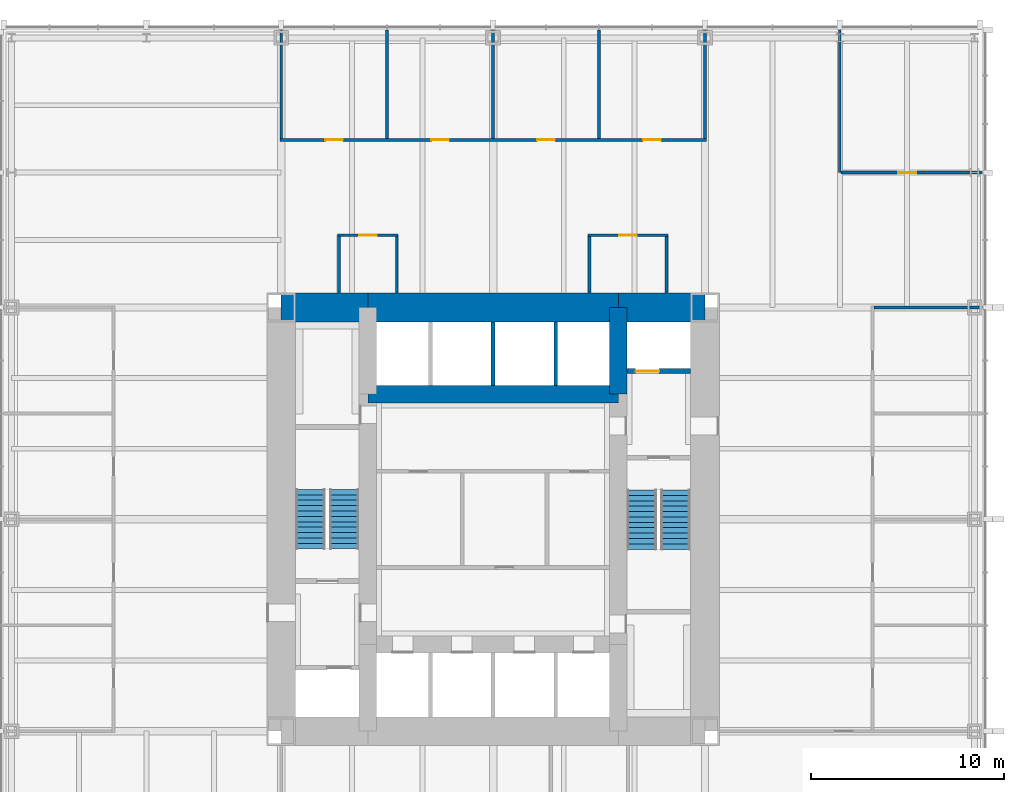
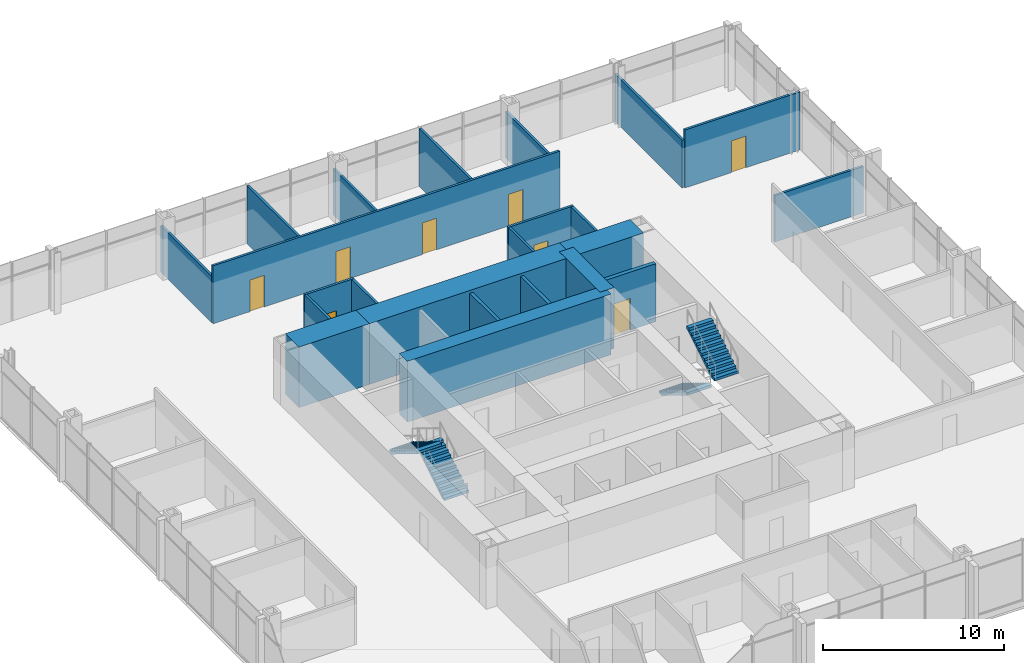
# One storey, part 11 of 12: 23 walls, 8 doors, 4 stair flights, 8 openings, 2 elements without a shape of their own.
"""IFC4 building model written with IfcOpenShell, lengths in metres."""

from ifc_helpers import new_model, si_unit, direction, frame, frame_2d, origin, place, context, subcontext, project, spatial, polyline, rectangle, outline, extrude, material, layer, layer_set, type_object, element, fill, aggregate, save


model = new_model("IFC4")

# Units and contexts
model_context = context("Model", 3, precision=1e-05, world=origin(), true_north=direction((0.0, 1.0)))
body_context = subcontext(model_context, "Body", "Model", "MODEL_VIEW")
ifc_project = project(units=[si_unit("LENGTHUNIT", "METRE"), si_unit("AREAUNIT", "SQUARE_METRE"), si_unit("VOLUMEUNIT", "CUBIC_METRE"), si_unit("PLANEANGLEUNIT", "RADIAN"), si_unit("MASSUNIT", "GRAM", prefix="KILO")], contexts=[model_context])

# Site, building, storey
site_placement = place(None, origin())
site = spatial("IfcSite", under=ifc_project, at=site_placement, CompositionType="ELEMENT")
building_placement = place(site_placement, origin())
building = spatial("IfcBuilding", under=site, at=building_placement, Name="Trevanion Tower", CompositionType="ELEMENT")
storey_placement = place(building_placement, frame((0.0, 0.0, 77.5)))
storey = spatial("IfcBuildingStorey", under=building, at=storey_placement, Name="L18", CompositionType="ELEMENT", Elevation=77.5)

# Walls
ifc_material_1 = material(Name="Concrete 10,000 psi", Category="concrete")
ifc_layer_1 = layer(ifc_material_1, 1.5)
ifc_layer_set_1 = layer_set([ifc_layer_1], Name="CW1 core wall 1500")
wall_type_1 = type_object("IfcWallType", Name="CW1 core wall 1500", PredefinedType="SHEAR", material=ifc_layer_set_1)
wall_1_placement = place(storey_placement, frame((11.0, 11.0, 0.0), z_axis=(0.0, 0.0, 1.0), x_axis=(-1.0, 0.0, 0.0)))
element("IfcWall", 1, at=wall_1_placement, inside=storey, type_object=wall_type_1, Name="CW1 CN1 L18", PredefinedType="SHEAR", context=body_context, shape_type="SweptSolid", body=[
    extrude(rectangle(XDim=4.5, YDim=1.5, at=frame_2d((2.25, 0.0))), origin(), (0.0, 0.0, 1.0), 4.10009765625),
])
wall_2_placement = place(storey_placement, frame((6.5, 11.0, 0.0), z_axis=(0.0, 0.0, 1.0), x_axis=(-1.0, 0.0, 0.0)))
element("IfcWall", 2, at=wall_2_placement, inside=storey, type_object=wall_type_1, Name="CW1 CN2 L18", PredefinedType="SHEAR", context=body_context, shape_type="SweptSolid", body=[
    extrude(rectangle(XDim=13.0, YDim=1.5, at=frame_2d((6.5, 0.0))), origin(), (0.0, 0.0, 1.0), 4.10009765625),
])
wall_3_placement = place(storey_placement, frame((-6.5, 11.0, 0.0), z_axis=(0.0, 0.0, 1.0), x_axis=(-1.0, 0.0, 0.0)))
element("IfcWall", 3, at=wall_3_placement, inside=storey, type_object=wall_type_1, Name="CW1 CN3 L18", PredefinedType="SHEAR", context=body_context, shape_type="SweptSolid", body=[
    extrude(rectangle(XDim=4.5, YDim=1.5, at=frame_2d((2.25, 0.0))), origin(), (0.0, 0.0, 1.0), 4.10009765625),
])
ifc_material_2 = material(Name="Concrete 10,000 psi", Category="concrete")
ifc_layer_2 = layer(ifc_material_2, 0.89990234375)
ifc_layer_set_2 = layer_set([ifc_layer_2], Name="CW2 core wall 900")
wall_type_2 = type_object("IfcWallType", Name="CW2 core wall 900", PredefinedType="SHEAR", material=ifc_layer_set_2)
wall_4_placement = place(storey_placement, frame((6.5, 6.5, 0.0), z_axis=(0.0, 0.0, 1.0), x_axis=(0.0, 1.0, 0.0)))
element("IfcWall", 4, at=wall_4_placement, inside=storey, type_object=wall_type_2, Name="CW2 RE3 L18", PredefinedType="SHEAR", context=body_context, shape_type="SweptSolid", body=[
    extrude(rectangle(XDim=4.5, YDim=0.89990234375, at=frame_2d((2.25, 0.0))), origin(), (0.0, 0.0, 1.0), 4.10009765625),
])
wall_5_placement = place(storey_placement, frame((6.5, 6.5, 0.0), z_axis=(0.0, 0.0, 1.0), x_axis=(-1.0, 0.0, 0.0)))
element("IfcWall", 5, at=wall_5_placement, inside=storey, type_object=wall_type_2, Name="CW2 RN L18", PredefinedType="SHEAR", context=body_context, shape_type="SweptSolid", body=[
    extrude(rectangle(XDim=13.0, YDim=0.89990234375, at=frame_2d((6.5, 0.0))), origin(), (0.0, 0.0, 1.0), 4.10009765625),
])
ifc_material_3 = material(Name="Gypsum board on steel studs", Category="steel")
ifc_layer_3 = layer(ifc_material_3, 0.14990234375)
ifc_layer_set_3 = layer_set([ifc_layer_3], Name="PT1 partition 150")
wall_type_3 = type_object("IfcWallType", Name="PT1 partition 150", PredefinedType="PARTITIONING", material=ifc_layer_set_3)
wall_6_placement = place(storey_placement, frame((18.0, 18.0, 0.0), z_axis=(0.0, 0.0, 1.0), x_axis=(0.0, 1.0, 0.0)))
element("IfcWall", 6, at=wall_6_placement, inside=storey, type_object=wall_type_3, Name="PT1 L18 KW0a", PredefinedType="PARTITIONING", context=body_context, shape_type="SweptSolid", body=[
    extrude(rectangle(XDim=7.4150390625, YDim=0.14990234375, at=frame_2d((3.70751953125, 0.0))), origin(), (0.0, 0.0, 1.0), 3.216552734375),
])

# Wall, opening, door
wall_7_placement = place(storey_placement, frame((18.074951171875, 18.0, 0.0), z_axis=(0.0, 0.0, 1.0), x_axis=(1.0, 0.0, 0.0)))
wall_7 = element("IfcWall", 7, at=wall_7_placement, inside=storey, type_object=wall_type_3, Name="PT1 L18 KW0b", PredefinedType="PARTITIONING", context=body_context, shape_type="SweptSolid", body=[
    extrude(rectangle(XDim=7.340087890625, YDim=0.14990234375, at=frame_2d((3.669921875, 0.0))), origin(), (0.0, 0.0, 1.0), 3.909912109375),
])
opening_1_placement = place(wall_7_placement, frame((2.967529296875, 0.0, 0.0)))
opening_1 = element("IfcOpeningElement", 8, at=opening_1_placement, cuts=wall_7, Name="Opening 18-020", PredefinedType="OPENING", context=body_context, shape_type="SweptSolid", body=[
    extrude(rectangle(XDim=0.9150390625, YDim=2.134033203125, at=frame_2d((0.45751953125, 1.06689453125))), frame((0.0, 0.0849609375, 0.0), z_axis=(0.0, -1.0, 0.0), x_axis=(1.0, 0.0, 0.0)), (0.0, 0.0, 1.0), 0.169921875),
])
ifc_material_4 = material(Name="Timber veneer, solid core", Category="wood")
door_type_1 = type_object("IfcDoorType", Name="D1 office and meeting room door", OperationType="SINGLE_SWING_LEFT", PredefinedType="DOOR", material=ifc_material_4)
door_1_placement = place(opening_1_placement, origin())
door_1 = element("IfcDoor", 9, at=door_1_placement, inside=storey, type_object=door_type_1, Name="Door 18-020", OperationType="SINGLE_SWING_LEFT", OverallHeight=2.134033203125, OverallWidth=0.9150390625, PredefinedType="DOOR", context=body_context, shape_type="SweptSolid", body=[
    extrude(rectangle(XDim=0.9150390625, YDim=2.134033203125, at=frame_2d((0.45751953125, 1.06689453125))), frame((0.0, 0.02490234375, 0.0), z_axis=(0.0, -1.0, 0.0), x_axis=(1.0, 0.0, 0.0)), (0.0, 0.0, 1.0), 0.050048828125),
])
fill(opening_1, door_1)

# Wall, openings, doors
wall_8_placement = place(storey_placement, frame((11.074951171875, 19.699951171875, 0.0), z_axis=(0.0, 0.0, 1.0), x_axis=(-1.0, 0.0, 0.0)))
wall_8 = element("IfcWall", 10, at=wall_8_placement, inside=storey, type_object=wall_type_3, Name="PT1 L18 FC1F", PredefinedType="PARTITIONING", context=body_context, shape_type="SweptSolid", body=[
    extrude(rectangle(XDim=22.14990234375, YDim=0.14990234375, at=frame_2d((11.074951171875, 0.0))), origin(), (0.0, 0.0, 1.0), 3.909912109375),
])
opening_2_placement = place(wall_8_placement, frame((2.367431640625, 0.0, 0.0)))
opening_2 = element("IfcOpeningElement", 11, at=opening_2_placement, cuts=wall_8, Name="Opening 18-022", PredefinedType="OPENING", context=body_context, shape_type="SweptSolid", body=[
    extrude(rectangle(XDim=0.9150390625, YDim=2.134033203125, at=frame_2d((0.45751953125, 1.06689453125))), frame((0.0, 0.0849609375, 0.0), z_axis=(0.0, -1.0, 0.0), x_axis=(1.0, 0.0, 0.0)), (0.0, 0.0, 1.0), 0.169921875),
])
opening_3_placement = place(wall_8_placement, frame((7.867431640625, 0.0, 0.0)))
opening_3 = element("IfcOpeningElement", 12, at=opening_3_placement, cuts=wall_8, Name="Opening 18-023", PredefinedType="OPENING", context=body_context, shape_type="SweptSolid", body=[
    extrude(rectangle(XDim=0.9150390625, YDim=2.134033203125, at=frame_2d((0.45751953125, 1.06689453125))), frame((0.0, 0.0849609375, 0.0), z_axis=(0.0, -1.0, 0.0), x_axis=(1.0, 0.0, 0.0)), (0.0, 0.0, 1.0), 0.169921875),
])
opening_4_placement = place(wall_8_placement, frame((13.367431640625, 0.0, 0.0)))
opening_4 = element("IfcOpeningElement", 13, at=opening_4_placement, cuts=wall_8, Name="Opening 18-024", PredefinedType="OPENING", context=body_context, shape_type="SweptSolid", body=[
    extrude(rectangle(XDim=0.9150390625, YDim=2.134033203125, at=frame_2d((0.45751953125, 1.06689453125))), frame((0.0, 0.0849609375, 0.0), z_axis=(0.0, -1.0, 0.0), x_axis=(1.0, 0.0, 0.0)), (0.0, 0.0, 1.0), 0.169921875),
])
opening_5_placement = place(wall_8_placement, frame((18.867431640625, 0.0, 0.0)))
opening_5 = element("IfcOpeningElement", 14, at=opening_5_placement, cuts=wall_8, Name="Opening 18-025", PredefinedType="OPENING", context=body_context, shape_type="SweptSolid", body=[
    extrude(rectangle(XDim=0.9150390625, YDim=2.134033203125, at=frame_2d((0.45751953125, 1.06689453125))), frame((0.0, 0.0849609375, 0.0), z_axis=(0.0, -1.0, 0.0), x_axis=(1.0, 0.0, 0.0)), (0.0, 0.0, 1.0), 0.169921875),
])
door_2_placement = place(opening_2_placement, origin())
door_2 = element("IfcDoor", 15, at=door_2_placement, inside=storey, type_object=door_type_1, Name="Door 18-022", OperationType="SINGLE_SWING_LEFT", OverallHeight=2.134033203125, OverallWidth=0.9150390625, PredefinedType="DOOR", context=body_context, shape_type="SweptSolid", body=[
    extrude(rectangle(XDim=0.9150390625, YDim=2.134033203125, at=frame_2d((0.45751953125, 1.06689453125))), frame((0.0, 0.02490234375, 0.0), z_axis=(0.0, -1.0, 0.0), x_axis=(1.0, 0.0, 0.0)), (0.0, 0.0, 1.0), 0.050048828125),
])
fill(opening_2, door_2)
door_3_placement = place(opening_3_placement, origin())
door_3 = element("IfcDoor", 16, at=door_3_placement, inside=storey, type_object=door_type_1, Name="Door 18-023", OperationType="SINGLE_SWING_LEFT", OverallHeight=2.134033203125, OverallWidth=0.9150390625, PredefinedType="DOOR", context=body_context, shape_type="SweptSolid", body=[
    extrude(rectangle(XDim=0.9150390625, YDim=2.134033203125, at=frame_2d((0.45751953125, 1.06689453125))), frame((0.0, 0.02490234375, 0.0), z_axis=(0.0, -1.0, 0.0), x_axis=(1.0, 0.0, 0.0)), (0.0, 0.0, 1.0), 0.050048828125),
])
fill(opening_3, door_3)
door_4_placement = place(opening_4_placement, origin())
door_4 = element("IfcDoor", 17, at=door_4_placement, inside=storey, type_object=door_type_1, Name="Door 18-024", OperationType="SINGLE_SWING_LEFT", OverallHeight=2.134033203125, OverallWidth=0.9150390625, PredefinedType="DOOR", context=body_context, shape_type="SweptSolid", body=[
    extrude(rectangle(XDim=0.9150390625, YDim=2.134033203125, at=frame_2d((0.45751953125, 1.06689453125))), frame((0.0, 0.02490234375, 0.0), z_axis=(0.0, -1.0, 0.0), x_axis=(1.0, 0.0, 0.0)), (0.0, 0.0, 1.0), 0.050048828125),
])
fill(opening_4, door_4)
door_5_placement = place(opening_5_placement, origin())
door_5 = element("IfcDoor", 18, at=door_5_placement, inside=storey, type_object=door_type_1, Name="Door 18-025", OperationType="SINGLE_SWING_LEFT", OverallHeight=2.134033203125, OverallWidth=0.9150390625, PredefinedType="DOOR", context=body_context, shape_type="SweptSolid", body=[
    extrude(rectangle(XDim=0.9150390625, YDim=2.134033203125, at=frame_2d((0.45751953125, 1.06689453125))), frame((0.0, 0.02490234375, 0.0), z_axis=(0.0, -1.0, 0.0), x_axis=(1.0, 0.0, 0.0)), (0.0, 0.0, 1.0), 0.050048828125),
])
fill(opening_5, door_5)

# Walls
wall_9_placement = place(storey_placement, frame((11.0, 19.77490234375, 0.0), z_axis=(0.0, 0.0, 1.0), x_axis=(0.0, 1.0, 0.0)))
element("IfcWall", 19, at=wall_9_placement, inside=storey, type_object=wall_type_3, Name="PT1 L18 FC1S0", PredefinedType="PARTITIONING", context=body_context, shape_type="SweptSolid", body=[
    extrude(rectangle(XDim=5.64013671875, YDim=0.14990234375, at=frame_2d((2.820068359375, 0.0))), origin(), (0.0, 0.0, 1.0), 3.130126953125),
])
wall_10_placement = place(storey_placement, frame((5.5, 19.77490234375, 0.0), z_axis=(0.0, 0.0, 1.0), x_axis=(0.0, 1.0, 0.0)))
element("IfcWall", 20, at=wall_10_placement, inside=storey, type_object=wall_type_3, Name="PT1 L18 FC1S2", PredefinedType="PARTITIONING", context=body_context, shape_type="SweptSolid", body=[
    extrude(rectangle(XDim=5.64013671875, YDim=0.14990234375, at=frame_2d((2.820068359375, 0.0))), origin(), (0.0, 0.0, 1.0), 3.909912109375),
])
wall_11_placement = place(storey_placement, frame((0.0, 19.77490234375, 0.0), z_axis=(0.0, 0.0, 1.0), x_axis=(0.0, 1.0, 0.0)))
element("IfcWall", 21, at=wall_11_placement, inside=storey, type_object=wall_type_3, Name="PT1 L18 FC1S4", PredefinedType="PARTITIONING", context=body_context, shape_type="SweptSolid", body=[
    extrude(rectangle(XDim=5.64013671875, YDim=0.14990234375, at=frame_2d((2.820068359375, 0.0))), origin(), (0.0, 0.0, 1.0), 3.130126953125),
])
wall_12_placement = place(storey_placement, frame((-5.5, 19.77490234375, 0.0), z_axis=(0.0, 0.0, 1.0), x_axis=(0.0, 1.0, 0.0)))
element("IfcWall", 22, at=wall_12_placement, inside=storey, type_object=wall_type_3, Name="PT1 L18 FC1S6", PredefinedType="PARTITIONING", context=body_context, shape_type="SweptSolid", body=[
    extrude(rectangle(XDim=5.64013671875, YDim=0.14990234375, at=frame_2d((2.820068359375, 0.0))), origin(), (0.0, 0.0, 1.0), 3.909912109375),
])
for number, where, z_axis, x_axis, name in (
    (23, (-11.0, 19.77490234375, 0.0), (0.0, 0.0, 1.0), (0.0, 1.0, 0.0), "PT1 L18 FC1S8"),
    (24, (19.77490234375, 11.0, 0.0), (0.0, 0.0, 1.0), (1.0, 0.0, 0.0), "PT1 L18 FC0S8"),
):
    element("IfcWall", number, at=place(storey_placement, frame(where, z_axis=z_axis, x_axis=x_axis)), inside=storey, type_object=wall_type_3, Name=name, PredefinedType="PARTITIONING", context=body_context, shape_type="SweptSolid", body=[
        extrude(rectangle(XDim=5.64013671875, YDim=0.14990234375, at=frame_2d((2.820068359375, 0.0))), origin(), (0.0, 0.0, 1.0), 3.130126953125),
    ])

# Wall, opening, door
wall_13_placement = place(storey_placement, frame((9.074951171875, 14.75, 0.0), z_axis=(0.0, 0.0, 1.0), x_axis=(-1.0, 0.0, 0.0)))
wall_13 = element("IfcWall", 25, at=wall_13_placement, inside=storey, type_object=wall_type_3, Name="PT1 L18 IN10F", PredefinedType="PARTITIONING", context=body_context, shape_type="SweptSolid", body=[
    extrude(rectangle(XDim=4.14990234375, YDim=0.14990234375, at=frame_2d((2.074951171875, 0.0))), origin(), (0.0, 0.0, 1.0), 3.909912109375),
])
opening_6_placement = place(wall_13_placement, frame((1.617431640625, 0.0, 0.0)))
opening_6 = element("IfcOpeningElement", 26, at=opening_6_placement, cuts=wall_13, Name="Opening 18-040", PredefinedType="OPENING", context=body_context, shape_type="SweptSolid", body=[
    extrude(rectangle(XDim=0.9150390625, YDim=2.134033203125, at=frame_2d((0.45751953125, 1.06689453125))), frame((0.0, 0.0849609375, 0.0), z_axis=(0.0, -1.0, 0.0), x_axis=(1.0, 0.0, 0.0)), (0.0, 0.0, 1.0), 0.169921875),
])
door_6_placement = place(opening_6_placement, origin())
door_6 = element("IfcDoor", 27, at=door_6_placement, inside=storey, type_object=door_type_1, Name="Door 18-040", OperationType="SINGLE_SWING_LEFT", OverallHeight=2.134033203125, OverallWidth=0.9150390625, PredefinedType="DOOR", context=body_context, shape_type="SweptSolid", body=[
    extrude(rectangle(XDim=0.9150390625, YDim=2.134033203125, at=frame_2d((0.45751953125, 1.06689453125))), frame((0.0, 0.02490234375, 0.0), z_axis=(0.0, -1.0, 0.0), x_axis=(1.0, 0.0, 0.0)), (0.0, 0.0, 1.0), 0.050048828125),
])
fill(opening_6, door_6)

# Walls
for number, where, z_axis, x_axis, name in (
    (28, (9.0, 14.675048828125, 0.0), (0.0, 0.0, 1.0), (0.0, -1.0, 0.0), "PT1 L18 IN10S0"),
    (29, (5.0, 14.675048828125, 0.0), (0.0, 0.0, 1.0), (0.0, -1.0, 0.0), "PT1 L18 IN10S1"),
):
    element("IfcWall", number, at=place(storey_placement, frame(where, z_axis=z_axis, x_axis=x_axis)), inside=storey, type_object=wall_type_3, Name=name, PredefinedType="PARTITIONING", context=body_context, shape_type="SweptSolid", body=[
        extrude(rectangle(XDim=2.925048828125, YDim=0.14990234375, at=frame_2d((1.46240234375, 0.0))), origin(), (0.0, 0.0, 1.0), 3.909912109375),
    ])

# Wall, opening, door
wall_14_placement = place(storey_placement, frame((-4.925048828125, 14.75, 0.0), z_axis=(0.0, 0.0, 1.0), x_axis=(-1.0, 0.0, 0.0)))
wall_14 = element("IfcWall", 30, at=wall_14_placement, inside=storey, type_object=wall_type_3, Name="PT1 L18 IN11F", PredefinedType="PARTITIONING", context=body_context, shape_type="SweptSolid", body=[
    extrude(rectangle(XDim=3.14990234375, YDim=0.14990234375, at=frame_2d((1.574951171875, 0.0))), origin(), (0.0, 0.0, 1.0), 3.909912109375),
])
opening_7_placement = place(wall_14_placement, frame((1.117431640625, 0.0, 0.0)))
opening_7 = element("IfcOpeningElement", 31, at=opening_7_placement, cuts=wall_14, Name="Opening 18-041", PredefinedType="OPENING", context=body_context, shape_type="SweptSolid", body=[
    extrude(rectangle(XDim=0.9150390625, YDim=2.134033203125, at=frame_2d((0.45751953125, 1.06689453125))), frame((0.0, 0.0849609375, 0.0), z_axis=(0.0, -1.0, 0.0), x_axis=(1.0, 0.0, 0.0)), (0.0, 0.0, 1.0), 0.169921875),
])
door_7_placement = place(opening_7_placement, origin())
door_7 = element("IfcDoor", 32, at=door_7_placement, inside=storey, type_object=door_type_1, Name="Door 18-041", OperationType="SINGLE_SWING_LEFT", OverallHeight=2.134033203125, OverallWidth=0.9150390625, PredefinedType="DOOR", context=body_context, shape_type="SweptSolid", body=[
    extrude(rectangle(XDim=0.9150390625, YDim=2.134033203125, at=frame_2d((0.45751953125, 1.06689453125))), frame((0.0, 0.02490234375, 0.0), z_axis=(0.0, -1.0, 0.0), x_axis=(1.0, 0.0, 0.0)), (0.0, 0.0, 1.0), 0.050048828125),
])
fill(opening_7, door_7)

# Walls
for number, where, z_axis, x_axis, name in (
    (33, (-5.0, 14.675048828125, 0.0), (0.0, 0.0, 1.0), (0.0, -1.0, 0.0), "PT1 L18 IN11S0"),
    (34, (-8.0, 14.675048828125, 0.0), (0.0, 0.0, 1.0), (0.0, -1.0, 0.0), "PT1 L18 IN11S1"),
):
    element("IfcWall", number, at=place(storey_placement, frame(where, z_axis=z_axis, x_axis=x_axis)), inside=storey, type_object=wall_type_3, Name=name, PredefinedType="PARTITIONING", context=body_context, shape_type="SweptSolid", body=[
        extrude(rectangle(XDim=2.925048828125, YDim=0.14990234375, at=frame_2d((1.46240234375, 0.0))), origin(), (0.0, 0.0, 1.0), 3.909912109375),
    ])
ifc_material_5 = material(Name="Concrete masonry, grouted", Category="masonry")
ifc_layer_4 = layer(ifc_material_5, 0.199951171875)
ifc_layer_set_4 = layer_set([ifc_layer_4], Name="PT2 partition 200 2 HR")
wall_type_4 = type_object("IfcWallType", Name="PT2 partition 200 2 HR", PredefinedType="PARTITIONING", material=ifc_layer_set_4)
for number, where, z_axis, x_axis, name in (
    (35, (0.0, 6.949951171875, 0.0), (0.0, 0.0, 1.0), (0.0, 1.0, 0.0), "PT2 L18 NS1"),
    (36, (3.25, 6.949951171875, 0.0), (0.0, 0.0, 1.0), (0.0, 1.0, 0.0), "PT2 L18 NS2"),
):
    element("IfcWall", number, at=place(storey_placement, frame(where, z_axis=z_axis, x_axis=x_axis)), inside=storey, type_object=wall_type_4, Name=name, PredefinedType="PARTITIONING", context=body_context, shape_type="SweptSolid", body=[
        extrude(rectangle(XDim=3.300048828125, YDim=0.199951171875, at=frame_2d((1.64990234375, 0.0))), origin(), (0.0, 0.0, 1.0), 3.909912109375),
    ])

# Wall, opening, door
ifc_material_6 = material(Name="Concrete masonry, grouted, two-hour", Category="masonry")
ifc_layer_5 = layer(ifc_material_6, 0.25)
ifc_layer_set_5 = layer_set([ifc_layer_5], Name="PT3 partition 250 2 HR")
wall_type_5 = type_object("IfcWallType", Name="PT3 partition 250 2 HR", PredefinedType="PARTITIONING", material=ifc_layer_set_5)
wall_15_placement = place(storey_placement, frame((6.949951171875, 7.699951171875, 0.0), z_axis=(0.0, 0.0, 1.0), x_axis=(1.0, 0.0, 0.0)))
wall_15 = element("IfcWall", 37, at=wall_15_placement, inside=storey, type_object=wall_type_5, Name="PT3 L18 EP3", PredefinedType="PARTITIONING", context=body_context, shape_type="SweptSolid", body=[
    extrude(rectangle(XDim=3.300048828125, YDim=0.25, at=frame_2d((1.64990234375, 0.0))), origin(), (0.0, 0.0, 1.0), 3.909912109375),
])
opening_8_placement = place(wall_15_placement, frame((0.449951171875, 0.0, 0.0)))
opening_8 = element("IfcOpeningElement", 38, at=opening_8_placement, cuts=wall_15, Name="Opening 18-007", PredefinedType="OPENING", context=body_context, shape_type="SweptSolid", body=[
    extrude(rectangle(XDim=1.218994140625, YDim=2.134033203125, at=frame_2d((0.609375, 1.06689453125))), frame((0.0, 0.135009765625, 0.0), z_axis=(0.0, -1.0, 0.0), x_axis=(1.0, 0.0, 0.0)), (0.0, 0.0, 1.0), 0.27001953125),
])
ifc_material_7 = material(Name="Stainless steel, fire rated", Category="steel")
door_type_2 = type_object("IfcDoorType", Name="LD2 fire service lift landing door", OperationType="SLIDING_TO_LEFT", PredefinedType="DOOR", material=ifc_material_7)
door_8_placement = place(opening_8_placement, origin())
door_8 = element("IfcDoor", 39, at=door_8_placement, inside=storey, type_object=door_type_2, Name="Door 18-007", OperationType="SLIDING_TO_LEFT", OverallHeight=2.134033203125, OverallWidth=1.218994140625, PredefinedType="DOOR", context=body_context, shape_type="SweptSolid", body=[
    extrude(rectangle(XDim=1.218994140625, YDim=2.134033203125, at=frame_2d((0.609375, 1.06689453125))), frame((0.0, 0.02490234375, 0.0), z_axis=(0.0, -1.0, 0.0), x_axis=(1.0, 0.0, 0.0)), (0.0, 0.0, 1.0), 0.050048828125),
])
fill(opening_8, door_8)

# Stair, stair flights
ifc_material_8 = material(Name="Concrete 5,000 psi on steel stringers", Category="concrete")
stair_type = type_object("IfcStairType", Name="ST stair", PredefinedType="HALF_TURN_STAIR", material=ifc_material_8)
stair_1_placement = place(storey_placement, origin())
stair_1 = element("IfcStair", 40, at=stair_1_placement, inside=storey, type_object=stair_type, Name="ST1 L18", PredefinedType="HALF_TURN_STAIR")
ifc_material_9 = material(Name="Concrete 5,000 psi in steel pan", Category="concrete")
stair_flight_type = type_object("IfcStairFlightType", Name="STF stair flight", PredefinedType="STRAIGHT", material=ifc_material_9)
stair_flight_1_placement = place(storey_placement, frame((7.72509765625, 1.52490234375, 0.0), z_axis=(0.0, 0.0, 1.0), x_axis=(0.0, -1.0, 0.0)))
stair_flight_1 = element("IfcStairFlight", 41, at=stair_flight_1_placement, type_object=stair_flight_type, Name="ST1 flight 1", NumberOfRisers=12, NumberOfTreads=11, PredefinedType="STRAIGHT", RiserHeight=0.170833333, TreadLength=0.28, context=body_context, shape_type="SweptSolid", body=[
    extrude(outline(polyline([(0.0, 0.0), (0.0, 0.1708984375), (0.280029296875, 0.1708984375), (0.280029296875, 0.341552734375), (0.56005859375, 0.341552734375), (0.56005859375, 0.512451171875), (0.840087890625, 0.512451171875), (0.840087890625, 0.683349609375), (1.1201171875, 0.683349609375), (1.1201171875, 0.854248046875), (1.39990234375, 0.854248046875), (1.39990234375, 1.02490234375), (1.679931640625, 1.02490234375), (1.679931640625, 1.19580078125), (1.9599609375, 1.19580078125), (1.9599609375, 1.36669921875), (2.239990234375, 1.36669921875), (2.239990234375, 1.53759765625), (2.52001953125, 1.53759765625), (2.52001953125, 1.708251953125), (2.800048828125, 1.708251953125), (2.800048828125, 1.879150390625), (3.080078125, 1.879150390625), (3.080078125, 2.050048828125), (3.080078125, 1.70361328125), (0.287841796875, 0.0), (0.0, 0.0)])), frame((0.0, 0.77490234375, 0.0), z_axis=(0.0, -1.0, 0.0), x_axis=(1.0, 0.0, 0.0)), (0.0, 0.0, 1.0), 1.550048828125),
])
stair_flight_2_placement = place(storey_placement, frame((9.47509765625, -1.554931640625, 2.050048828125), z_axis=(0.0, 0.0, 1.0), x_axis=(0.0, 1.0, 0.0)))
stair_flight_2 = element("IfcStairFlight", 42, at=stair_flight_2_placement, type_object=stair_flight_type, Name="ST1 flight 2", NumberOfRisers=12, NumberOfTreads=11, PredefinedType="STRAIGHT", RiserHeight=0.170833333, TreadLength=0.28, context=body_context, shape_type="SweptSolid", body=[
    extrude(outline(polyline([(0.0, 0.0), (0.0, 0.1708984375), (0.280029296875, 0.1708984375), (0.280029296875, 0.341552734375), (0.56005859375, 0.341552734375), (0.56005859375, 0.512451171875), (0.840087890625, 0.512451171875), (0.840087890625, 0.683349609375), (1.1201171875, 0.683349609375), (1.1201171875, 0.854248046875), (1.39990234375, 0.854248046875), (1.39990234375, 1.02490234375), (1.679931640625, 1.02490234375), (1.679931640625, 1.19580078125), (1.9599609375, 1.19580078125), (1.9599609375, 1.36669921875), (2.239990234375, 1.36669921875), (2.239990234375, 1.53759765625), (2.52001953125, 1.53759765625), (2.52001953125, 1.708251953125), (2.800048828125, 1.708251953125), (2.800048828125, 1.879150390625), (3.080078125, 1.879150390625), (3.080078125, 2.050048828125), (3.080078125, 1.70361328125), (0.287841796875, 0.0), (0.0, 0.0)])), frame((0.0, 0.77490234375, 0.0), z_axis=(0.0, -1.0, 0.0), x_axis=(1.0, 0.0, 0.0)), (0.0, 0.0, 1.0), 1.550048828125),
])
aggregate(stair_1, [stair_flight_1, stair_flight_2])

stair_2_placement = place(storey_placement, origin())
stair_2 = element("IfcStair", 43, at=stair_2_placement, inside=storey, type_object=stair_type, Name="ST2 L18", PredefinedType="HALF_TURN_STAIR")
stair_flight_3_placement = place(storey_placement, frame((-7.72509765625, -1.52490234375, 0.0), z_axis=(0.0, 0.0, 1.0), x_axis=(0.0, 1.0, 0.0)))
stair_flight_3 = element("IfcStairFlight", 44, at=stair_flight_3_placement, type_object=stair_flight_type, Name="ST2 flight 1", NumberOfRisers=12, NumberOfTreads=11, PredefinedType="STRAIGHT", RiserHeight=0.170833333, TreadLength=0.28, context=body_context, shape_type="SweptSolid", body=[
    extrude(outline(polyline([(0.0, 0.0), (0.0, 0.1708984375), (0.280029296875, 0.1708984375), (0.280029296875, 0.341552734375), (0.56005859375, 0.341552734375), (0.56005859375, 0.512451171875), (0.840087890625, 0.512451171875), (0.840087890625, 0.683349609375), (1.1201171875, 0.683349609375), (1.1201171875, 0.854248046875), (1.39990234375, 0.854248046875), (1.39990234375, 1.02490234375), (1.679931640625, 1.02490234375), (1.679931640625, 1.19580078125), (1.9599609375, 1.19580078125), (1.9599609375, 1.36669921875), (2.239990234375, 1.36669921875), (2.239990234375, 1.53759765625), (2.52001953125, 1.53759765625), (2.52001953125, 1.708251953125), (2.800048828125, 1.708251953125), (2.800048828125, 1.879150390625), (3.080078125, 1.879150390625), (3.080078125, 2.050048828125), (3.080078125, 1.70361328125), (0.287841796875, 0.0), (0.0, 0.0)])), frame((0.0, 0.77490234375, 0.0), z_axis=(0.0, -1.0, 0.0), x_axis=(1.0, 0.0, 0.0)), (0.0, 0.0, 1.0), 1.550048828125),
])
stair_flight_4_placement = place(storey_placement, frame((-9.47509765625, 1.554931640625, 2.050048828125), z_axis=(0.0, 0.0, 1.0), x_axis=(0.0, -1.0, 0.0)))
stair_flight_4 = element("IfcStairFlight", 45, at=stair_flight_4_placement, type_object=stair_flight_type, Name="ST2 flight 2", NumberOfRisers=12, NumberOfTreads=11, PredefinedType="STRAIGHT", RiserHeight=0.170833333, TreadLength=0.28, context=body_context, shape_type="SweptSolid", body=[
    extrude(outline(polyline([(0.0, 0.0), (0.0, 0.1708984375), (0.280029296875, 0.1708984375), (0.280029296875, 0.341552734375), (0.56005859375, 0.341552734375), (0.56005859375, 0.512451171875), (0.840087890625, 0.512451171875), (0.840087890625, 0.683349609375), (1.1201171875, 0.683349609375), (1.1201171875, 0.854248046875), (1.39990234375, 0.854248046875), (1.39990234375, 1.02490234375), (1.679931640625, 1.02490234375), (1.679931640625, 1.19580078125), (1.9599609375, 1.19580078125), (1.9599609375, 1.36669921875), (2.239990234375, 1.36669921875), (2.239990234375, 1.53759765625), (2.52001953125, 1.53759765625), (2.52001953125, 1.708251953125), (2.800048828125, 1.708251953125), (2.800048828125, 1.879150390625), (3.080078125, 1.879150390625), (3.080078125, 2.050048828125), (3.080078125, 1.70361328125), (0.287841796875, 0.0), (0.0, 0.0)])), frame((0.0, 0.77490234375, 0.0), z_axis=(0.0, -1.0, 0.0), x_axis=(1.0, 0.0, 0.0)), (0.0, 0.0, 1.0), 1.550048828125),
])
aggregate(stair_2, [stair_flight_3, stair_flight_4])

save(model, "model.ifc")
